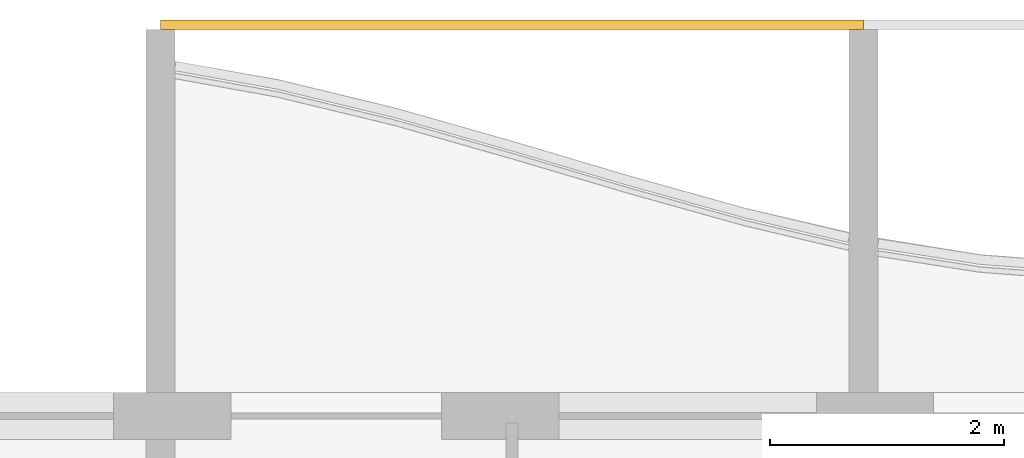
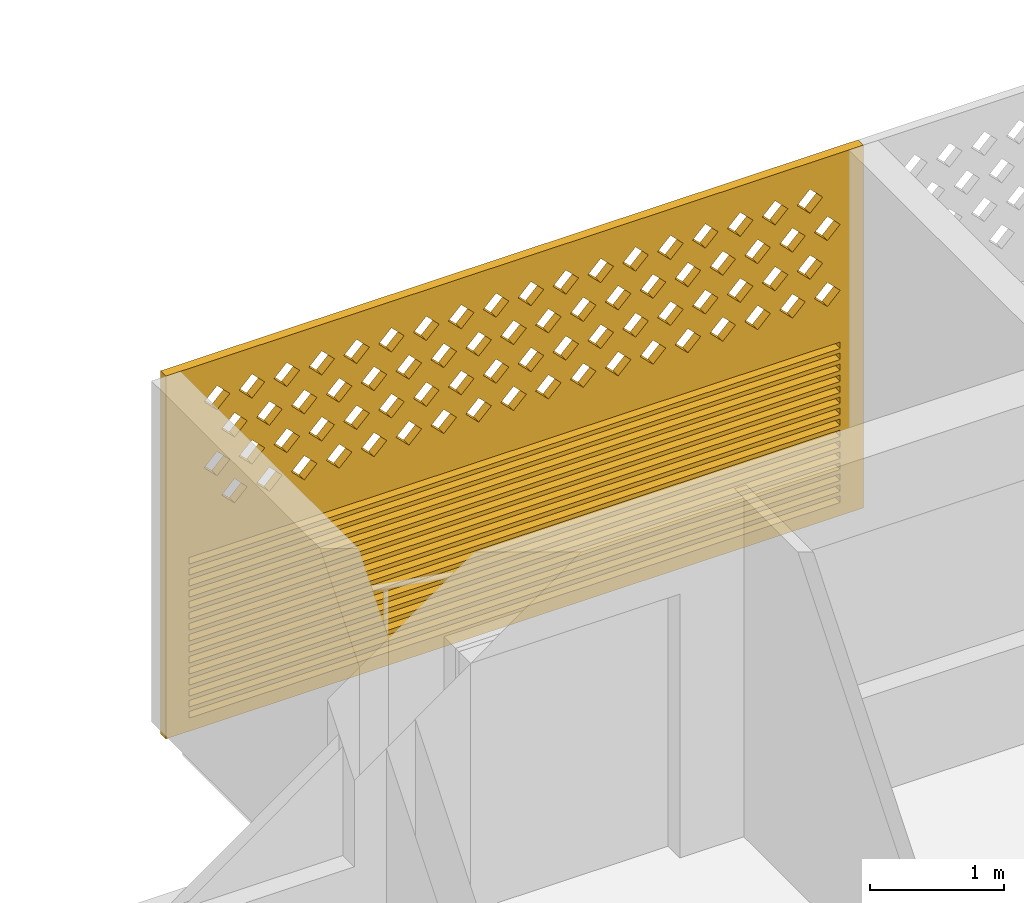
# One storey, part 22 of 28: 1 covering.
"""IFC4 building model written with IfcOpenShell, lengths in metres."""

from ifc_helpers import new_model, si_unit, direction, frame, origin, place, context, subcontext, project, spatial, polyline, outline, extrude, source, transform, mapped, material, material_profile, profile_set, type_object, element, save


model = new_model("IFC4")

# Units and contexts
model_context = context("Model", 3, precision=1e-05, world=origin(), true_north=direction((0.0, 1.0)))
body_context = subcontext(model_context, "Body", "Model", "MODEL_VIEW")
ifc_project = project(units=[si_unit("LENGTHUNIT", "METRE"), si_unit("AREAUNIT", "SQUARE_METRE"), si_unit("VOLUMEUNIT", "CUBIC_METRE"), si_unit("PLANEANGLEUNIT", "RADIAN"), si_unit("MASSUNIT", "GRAM", prefix="KILO")], contexts=[model_context])

# Site, building, storey
site_placement = place(None, origin())
site = spatial("IfcSite", under=ifc_project, at=site_placement, CompositionType="ELEMENT")
building_placement = place(site_placement, origin())
building = spatial("IfcBuilding", under=site, at=building_placement, Name="Poui Terraces", CompositionType="ELEMENT")
storey_placement = place(building_placement, frame((0.0, 0.0, 185.10009765625)))
storey = spatial("IfcBuildingStorey", under=building, at=storey_placement, Name="L51", CompositionType="ELEMENT", Elevation=185.10009765625)

# Covering
ifc_material = material(Name="Terracotta screen", Category="masonry")
ifc_material_profile = material_profile(ifc_material, outline(polyline([(-3.0, -1.64990234375), (3.0, -1.64990234375), (3.0, 1.64990234375), (-3.0, 1.64990234375), (-3.0, -1.64990234375)]), holes=[polyline([(-2.800048828125, 0.39990234375), (-2.68994140625, 0.2900390625), (-2.580078125, 0.39990234375), (-2.68994140625, 0.510009765625), (-2.800048828125, 0.39990234375)]), polyline([(-2.5, 0.39990234375), (-2.389892578125, 0.2900390625), (-2.280029296875, 0.39990234375), (-2.389892578125, 0.510009765625), (-2.5, 0.39990234375)]), polyline([(-2.199951171875, 0.39990234375), (-2.090087890625, 0.2900390625), (-1.97998046875, 0.39990234375), (-2.090087890625, 0.510009765625), (-2.199951171875, 0.39990234375)]), polyline([(-1.89990234375, 0.39990234375), (-1.7900390625, 0.2900390625), (-1.679931640625, 0.39990234375), (-1.7900390625, 0.510009765625), (-1.89990234375, 0.39990234375)]), polyline([(-1.60009765625, 0.39990234375), (-1.489990234375, 0.2900390625), (-1.3798828125, 0.39990234375), (-1.489990234375, 0.510009765625), (-1.60009765625, 0.39990234375)]), polyline([(-1.300048828125, 0.39990234375), (-1.18994140625, 0.2900390625), (-1.080078125, 0.39990234375), (-1.18994140625, 0.510009765625), (-1.300048828125, 0.39990234375)]), polyline([(-1.0, 0.39990234375), (-0.889892578125, 0.2900390625), (-0.780029296875, 0.39990234375), (-0.889892578125, 0.510009765625), (-1.0, 0.39990234375)]), polyline([(-0.699951171875, 0.39990234375), (-0.590087890625, 0.2900390625), (-0.47998046875, 0.39990234375), (-0.590087890625, 0.510009765625), (-0.699951171875, 0.39990234375)]), polyline([(-0.39990234375, 0.39990234375), (-0.2900390625, 0.2900390625), (-0.179931640625, 0.39990234375), (-0.2900390625, 0.510009765625), (-0.39990234375, 0.39990234375)]), polyline([(-0.10009765625, 0.39990234375), (0.010009765625, 0.2900390625), (0.1201171875, 0.39990234375), (0.010009765625, 0.510009765625), (-0.10009765625, 0.39990234375)]), polyline([(0.199951171875, 0.39990234375), (0.31005859375, 0.2900390625), (0.419921875, 0.39990234375), (0.31005859375, 0.510009765625), (0.199951171875, 0.39990234375)]), polyline([(0.5, 0.39990234375), (0.610107421875, 0.2900390625), (0.719970703125, 0.39990234375), (0.610107421875, 0.510009765625), (0.5, 0.39990234375)]), polyline([(0.800048828125, 0.39990234375), (0.909912109375, 0.2900390625), (1.02001953125, 0.39990234375), (0.909912109375, 0.510009765625), (0.800048828125, 0.39990234375)]), polyline([(1.10009765625, 0.39990234375), (1.2099609375, 0.2900390625), (1.320068359375, 0.39990234375), (1.2099609375, 0.510009765625), (1.10009765625, 0.39990234375)]), polyline([(1.39990234375, 0.39990234375), (1.510009765625, 0.2900390625), (1.6201171875, 0.39990234375), (1.510009765625, 0.510009765625), (1.39990234375, 0.39990234375)]), polyline([(1.699951171875, 0.39990234375), (1.81005859375, 0.2900390625), (1.919921875, 0.39990234375), (1.81005859375, 0.510009765625), (1.699951171875, 0.39990234375)]), polyline([(2.0, 0.39990234375), (2.110107421875, 0.2900390625), (2.219970703125, 0.39990234375), (2.110107421875, 0.510009765625), (2.0, 0.39990234375)]), polyline([(2.300048828125, 0.39990234375), (2.409912109375, 0.2900390625), (2.52001953125, 0.39990234375), (2.409912109375, 0.510009765625), (2.300048828125, 0.39990234375)]), polyline([(-2.64990234375, 0.699951171875), (-2.5400390625, 0.590087890625), (-2.429931640625, 0.699951171875), (-2.5400390625, 0.81005859375), (-2.64990234375, 0.699951171875)]), polyline([(-2.35009765625, 0.699951171875), (-2.239990234375, 0.590087890625), (-2.1298828125, 0.699951171875), (-2.239990234375, 0.81005859375), (-2.35009765625, 0.699951171875)]), polyline([(-2.050048828125, 0.699951171875), (-1.93994140625, 0.590087890625), (-1.830078125, 0.699951171875), (-1.93994140625, 0.81005859375), (-2.050048828125, 0.699951171875)]), polyline([(-1.75, 0.699951171875), (-1.639892578125, 0.590087890625), (-1.530029296875, 0.699951171875), (-1.639892578125, 0.81005859375), (-1.75, 0.699951171875)]), polyline([(-1.449951171875, 0.699951171875), (-1.340087890625, 0.590087890625), (-1.22998046875, 0.699951171875), (-1.340087890625, 0.81005859375), (-1.449951171875, 0.699951171875)]), polyline([(-1.14990234375, 0.699951171875), (-1.0400390625, 0.590087890625), (-0.929931640625, 0.699951171875), (-1.0400390625, 0.81005859375), (-1.14990234375, 0.699951171875)]), polyline([(-0.85009765625, 0.699951171875), (-0.739990234375, 0.590087890625), (-0.6298828125, 0.699951171875), (-0.739990234375, 0.81005859375), (-0.85009765625, 0.699951171875)]), polyline([(-0.550048828125, 0.699951171875), (-0.43994140625, 0.590087890625), (-0.330078125, 0.699951171875), (-0.43994140625, 0.81005859375), (-0.550048828125, 0.699951171875)]), polyline([(-0.25, 0.699951171875), (-0.139892578125, 0.590087890625), (-0.030029296875, 0.699951171875), (-0.139892578125, 0.81005859375), (-0.25, 0.699951171875)]), polyline([(0.050048828125, 0.699951171875), (0.159912109375, 0.590087890625), (0.27001953125, 0.699951171875), (0.159912109375, 0.81005859375), (0.050048828125, 0.699951171875)]), polyline([(0.35009765625, 0.699951171875), (0.4599609375, 0.590087890625), (0.570068359375, 0.699951171875), (0.4599609375, 0.81005859375), (0.35009765625, 0.699951171875)]), polyline([(0.64990234375, 0.699951171875), (0.760009765625, 0.590087890625), (0.8701171875, 0.699951171875), (0.760009765625, 0.81005859375), (0.64990234375, 0.699951171875)]), polyline([(0.949951171875, 0.699951171875), (1.06005859375, 0.590087890625), (1.169921875, 0.699951171875), (1.06005859375, 0.81005859375), (0.949951171875, 0.699951171875)]), polyline([(1.25, 0.699951171875), (1.360107421875, 0.590087890625), (1.469970703125, 0.699951171875), (1.360107421875, 0.81005859375), (1.25, 0.699951171875)]), polyline([(1.550048828125, 0.699951171875), (1.659912109375, 0.590087890625), (1.77001953125, 0.699951171875), (1.659912109375, 0.81005859375), (1.550048828125, 0.699951171875)]), polyline([(1.85009765625, 0.699951171875), (1.9599609375, 0.590087890625), (2.070068359375, 0.699951171875), (1.9599609375, 0.81005859375), (1.85009765625, 0.699951171875)]), polyline([(2.14990234375, 0.699951171875), (2.260009765625, 0.590087890625), (2.3701171875, 0.699951171875), (2.260009765625, 0.81005859375), (2.14990234375, 0.699951171875)]), polyline([(2.449951171875, 0.699951171875), (2.56005859375, 0.590087890625), (2.669921875, 0.699951171875), (2.56005859375, 0.81005859375), (2.449951171875, 0.699951171875)]), polyline([(-2.800048828125, 1.0), (-2.68994140625, 0.889892578125), (-2.580078125, 1.0), (-2.68994140625, 1.110107421875), (-2.800048828125, 1.0)]), polyline([(-2.5, 1.0), (-2.389892578125, 0.889892578125), (-2.280029296875, 1.0), (-2.389892578125, 1.110107421875), (-2.5, 1.0)]), polyline([(-2.199951171875, 1.0), (-2.090087890625, 0.889892578125), (-1.97998046875, 1.0), (-2.090087890625, 1.110107421875), (-2.199951171875, 1.0)]), polyline([(-1.89990234375, 1.0), (-1.7900390625, 0.889892578125), (-1.679931640625, 1.0), (-1.7900390625, 1.110107421875), (-1.89990234375, 1.0)]), polyline([(-1.60009765625, 1.0), (-1.489990234375, 0.889892578125), (-1.3798828125, 1.0), (-1.489990234375, 1.110107421875), (-1.60009765625, 1.0)]), polyline([(-1.300048828125, 1.0), (-1.18994140625, 0.889892578125), (-1.080078125, 1.0), (-1.18994140625, 1.110107421875), (-1.300048828125, 1.0)]), polyline([(-1.0, 1.0), (-0.889892578125, 0.889892578125), (-0.780029296875, 1.0), (-0.889892578125, 1.110107421875), (-1.0, 1.0)]), polyline([(-0.699951171875, 1.0), (-0.590087890625, 0.889892578125), (-0.47998046875, 1.0), (-0.590087890625, 1.110107421875), (-0.699951171875, 1.0)]), polyline([(-0.39990234375, 1.0), (-0.2900390625, 0.889892578125), (-0.179931640625, 1.0), (-0.2900390625, 1.110107421875), (-0.39990234375, 1.0)]), polyline([(-0.10009765625, 1.0), (0.010009765625, 0.889892578125), (0.1201171875, 1.0), (0.010009765625, 1.110107421875), (-0.10009765625, 1.0)]), polyline([(0.199951171875, 1.0), (0.31005859375, 0.889892578125), (0.419921875, 1.0), (0.31005859375, 1.110107421875), (0.199951171875, 1.0)]), polyline([(0.5, 1.0), (0.610107421875, 0.889892578125), (0.719970703125, 1.0), (0.610107421875, 1.110107421875), (0.5, 1.0)]), polyline([(0.800048828125, 1.0), (0.909912109375, 0.889892578125), (1.02001953125, 1.0), (0.909912109375, 1.110107421875), (0.800048828125, 1.0)]), polyline([(1.10009765625, 1.0), (1.2099609375, 0.889892578125), (1.320068359375, 1.0), (1.2099609375, 1.110107421875), (1.10009765625, 1.0)]), polyline([(1.39990234375, 1.0), (1.510009765625, 0.889892578125), (1.6201171875, 1.0), (1.510009765625, 1.110107421875), (1.39990234375, 1.0)]), polyline([(1.699951171875, 1.0), (1.81005859375, 0.889892578125), (1.919921875, 1.0), (1.81005859375, 1.110107421875), (1.699951171875, 1.0)]), polyline([(2.0, 1.0), (2.110107421875, 0.889892578125), (2.219970703125, 1.0), (2.110107421875, 1.110107421875), (2.0, 1.0)]), polyline([(2.300048828125, 1.0), (2.409912109375, 0.889892578125), (2.52001953125, 1.0), (2.409912109375, 1.110107421875), (2.300048828125, 1.0)]), polyline([(-2.64990234375, 1.300048828125), (-2.5400390625, 1.18994140625), (-2.429931640625, 1.300048828125), (-2.5400390625, 1.409912109375), (-2.64990234375, 1.300048828125)]), polyline([(-2.35009765625, 1.300048828125), (-2.239990234375, 1.18994140625), (-2.1298828125, 1.300048828125), (-2.239990234375, 1.409912109375), (-2.35009765625, 1.300048828125)]), polyline([(-2.050048828125, 1.300048828125), (-1.93994140625, 1.18994140625), (-1.830078125, 1.300048828125), (-1.93994140625, 1.409912109375), (-2.050048828125, 1.300048828125)]), polyline([(-1.75, 1.300048828125), (-1.639892578125, 1.18994140625), (-1.530029296875, 1.300048828125), (-1.639892578125, 1.409912109375), (-1.75, 1.300048828125)]), polyline([(-1.449951171875, 1.300048828125), (-1.340087890625, 1.18994140625), (-1.22998046875, 1.300048828125), (-1.340087890625, 1.409912109375), (-1.449951171875, 1.300048828125)]), polyline([(-1.14990234375, 1.300048828125), (-1.0400390625, 1.18994140625), (-0.929931640625, 1.300048828125), (-1.0400390625, 1.409912109375), (-1.14990234375, 1.300048828125)]), polyline([(-0.85009765625, 1.300048828125), (-0.739990234375, 1.18994140625), (-0.6298828125, 1.300048828125), (-0.739990234375, 1.409912109375), (-0.85009765625, 1.300048828125)]), polyline([(-0.550048828125, 1.300048828125), (-0.43994140625, 1.18994140625), (-0.330078125, 1.300048828125), (-0.43994140625, 1.409912109375), (-0.550048828125, 1.300048828125)]), polyline([(-0.25, 1.300048828125), (-0.139892578125, 1.18994140625), (-0.030029296875, 1.300048828125), (-0.139892578125, 1.409912109375), (-0.25, 1.300048828125)]), polyline([(0.050048828125, 1.300048828125), (0.159912109375, 1.18994140625), (0.27001953125, 1.300048828125), (0.159912109375, 1.409912109375), (0.050048828125, 1.300048828125)]), polyline([(0.35009765625, 1.300048828125), (0.4599609375, 1.18994140625), (0.570068359375, 1.300048828125), (0.4599609375, 1.409912109375), (0.35009765625, 1.300048828125)]), polyline([(0.64990234375, 1.300048828125), (0.760009765625, 1.18994140625), (0.8701171875, 1.300048828125), (0.760009765625, 1.409912109375), (0.64990234375, 1.300048828125)]), polyline([(0.949951171875, 1.300048828125), (1.06005859375, 1.18994140625), (1.169921875, 1.300048828125), (1.06005859375, 1.409912109375), (0.949951171875, 1.300048828125)]), polyline([(1.25, 1.300048828125), (1.360107421875, 1.18994140625), (1.469970703125, 1.300048828125), (1.360107421875, 1.409912109375), (1.25, 1.300048828125)]), polyline([(1.550048828125, 1.300048828125), (1.659912109375, 1.18994140625), (1.77001953125, 1.300048828125), (1.659912109375, 1.409912109375), (1.550048828125, 1.300048828125)]), polyline([(1.85009765625, 1.300048828125), (1.9599609375, 1.18994140625), (2.070068359375, 1.300048828125), (1.9599609375, 1.409912109375), (1.85009765625, 1.300048828125)]), polyline([(2.14990234375, 1.300048828125), (2.260009765625, 1.18994140625), (2.3701171875, 1.300048828125), (2.260009765625, 1.409912109375), (2.14990234375, 1.300048828125)]), polyline([(2.449951171875, 1.300048828125), (2.56005859375, 1.18994140625), (2.669921875, 1.300048828125), (2.56005859375, 1.409912109375), (2.449951171875, 1.300048828125)]), polyline([(-2.800048828125, -1.530029296875), (2.800048828125, -1.530029296875), (2.800048828125, -1.469970703125), (-2.800048828125, -1.469970703125), (-2.800048828125, -1.530029296875)]), polyline([(-2.800048828125, -1.429931640625), (2.800048828125, -1.429931640625), (2.800048828125, -1.3701171875), (-2.800048828125, -1.3701171875), (-2.800048828125, -1.429931640625)]), polyline([(-2.800048828125, -1.330078125), (2.800048828125, -1.330078125), (2.800048828125, -1.27001953125), (-2.800048828125, -1.27001953125), (-2.800048828125, -1.330078125)]), polyline([(-2.800048828125, -1.22998046875), (2.800048828125, -1.22998046875), (2.800048828125, -1.169921875), (-2.800048828125, -1.169921875), (-2.800048828125, -1.22998046875)]), polyline([(-2.800048828125, -1.1298828125), (2.800048828125, -1.1298828125), (2.800048828125, -1.070068359375), (-2.800048828125, -1.070068359375), (-2.800048828125, -1.1298828125)]), polyline([(-2.800048828125, -1.030029296875), (2.800048828125, -1.030029296875), (2.800048828125, -0.969970703125), (-2.800048828125, -0.969970703125), (-2.800048828125, -1.030029296875)]), polyline([(-2.800048828125, -0.929931640625), (2.800048828125, -0.929931640625), (2.800048828125, -0.8701171875), (-2.800048828125, -0.8701171875), (-2.800048828125, -0.929931640625)]), polyline([(-2.800048828125, -0.830078125), (2.800048828125, -0.830078125), (2.800048828125, -0.77001953125), (-2.800048828125, -0.77001953125), (-2.800048828125, -0.830078125)]), polyline([(-2.800048828125, -0.72998046875), (2.800048828125, -0.72998046875), (2.800048828125, -0.669921875), (-2.800048828125, -0.669921875), (-2.800048828125, -0.72998046875)]), polyline([(-2.800048828125, -0.6298828125), (2.800048828125, -0.6298828125), (2.800048828125, -0.570068359375), (-2.800048828125, -0.570068359375), (-2.800048828125, -0.6298828125)]), polyline([(-2.800048828125, -0.530029296875), (2.800048828125, -0.530029296875), (2.800048828125, -0.469970703125), (-2.800048828125, -0.469970703125), (-2.800048828125, -0.530029296875)]), polyline([(-2.800048828125, -0.429931640625), (2.800048828125, -0.429931640625), (2.800048828125, -0.3701171875), (-2.800048828125, -0.3701171875), (-2.800048828125, -0.429931640625)]), polyline([(-2.800048828125, -0.330078125), (2.800048828125, -0.330078125), (2.800048828125, -0.27001953125), (-2.800048828125, -0.27001953125), (-2.800048828125, -0.330078125)]), polyline([(-2.800048828125, -0.22998046875), (2.800048828125, -0.22998046875), (2.800048828125, -0.169921875), (-2.800048828125, -0.169921875), (-2.800048828125, -0.22998046875)]), polyline([(-2.800048828125, -0.1298828125), (2.800048828125, -0.1298828125), (2.800048828125, -0.070068359375), (-2.800048828125, -0.070068359375), (-2.800048828125, -0.1298828125)])]), Name="TERRACOTTA SCREEN AND JALOUSIE LOUVRE 6000X3300")
ifc_profile_set = profile_set([ifc_material_profile], Name="Terracotta screen")
covering_type = type_object("IfcCoveringType", Name="TERRACOTTA SCREEN AND JALOUSIE LOUVRE 6000X3300", PredefinedType="CLADDING", material=ifc_profile_set)
shared_shape = source(origin(), body_context, "Body", "SweptSolid", [
    extrude(outline(polyline([(-3.0, -1.64990234375), (3.0, -1.64990234375), (3.0, 1.64990234375), (-3.0, 1.64990234375), (-3.0, -1.64990234375)]), holes=[polyline([(-2.800048828125, 0.39990234375), (-2.68994140625, 0.2900390625), (-2.580078125, 0.39990234375), (-2.68994140625, 0.510009765625), (-2.800048828125, 0.39990234375)]), polyline([(-2.5, 0.39990234375), (-2.389892578125, 0.2900390625), (-2.280029296875, 0.39990234375), (-2.389892578125, 0.510009765625), (-2.5, 0.39990234375)]), polyline([(-2.199951171875, 0.39990234375), (-2.090087890625, 0.2900390625), (-1.97998046875, 0.39990234375), (-2.090087890625, 0.510009765625), (-2.199951171875, 0.39990234375)]), polyline([(-1.89990234375, 0.39990234375), (-1.7900390625, 0.2900390625), (-1.679931640625, 0.39990234375), (-1.7900390625, 0.510009765625), (-1.89990234375, 0.39990234375)]), polyline([(-1.60009765625, 0.39990234375), (-1.489990234375, 0.2900390625), (-1.3798828125, 0.39990234375), (-1.489990234375, 0.510009765625), (-1.60009765625, 0.39990234375)]), polyline([(-1.300048828125, 0.39990234375), (-1.18994140625, 0.2900390625), (-1.080078125, 0.39990234375), (-1.18994140625, 0.510009765625), (-1.300048828125, 0.39990234375)]), polyline([(-1.0, 0.39990234375), (-0.889892578125, 0.2900390625), (-0.780029296875, 0.39990234375), (-0.889892578125, 0.510009765625), (-1.0, 0.39990234375)]), polyline([(-0.699951171875, 0.39990234375), (-0.590087890625, 0.2900390625), (-0.47998046875, 0.39990234375), (-0.590087890625, 0.510009765625), (-0.699951171875, 0.39990234375)]), polyline([(-0.39990234375, 0.39990234375), (-0.2900390625, 0.2900390625), (-0.179931640625, 0.39990234375), (-0.2900390625, 0.510009765625), (-0.39990234375, 0.39990234375)]), polyline([(-0.10009765625, 0.39990234375), (0.010009765625, 0.2900390625), (0.1201171875, 0.39990234375), (0.010009765625, 0.510009765625), (-0.10009765625, 0.39990234375)]), polyline([(0.199951171875, 0.39990234375), (0.31005859375, 0.2900390625), (0.419921875, 0.39990234375), (0.31005859375, 0.510009765625), (0.199951171875, 0.39990234375)]), polyline([(0.5, 0.39990234375), (0.610107421875, 0.2900390625), (0.719970703125, 0.39990234375), (0.610107421875, 0.510009765625), (0.5, 0.39990234375)]), polyline([(0.800048828125, 0.39990234375), (0.909912109375, 0.2900390625), (1.02001953125, 0.39990234375), (0.909912109375, 0.510009765625), (0.800048828125, 0.39990234375)]), polyline([(1.10009765625, 0.39990234375), (1.2099609375, 0.2900390625), (1.320068359375, 0.39990234375), (1.2099609375, 0.510009765625), (1.10009765625, 0.39990234375)]), polyline([(1.39990234375, 0.39990234375), (1.510009765625, 0.2900390625), (1.6201171875, 0.39990234375), (1.510009765625, 0.510009765625), (1.39990234375, 0.39990234375)]), polyline([(1.699951171875, 0.39990234375), (1.81005859375, 0.2900390625), (1.919921875, 0.39990234375), (1.81005859375, 0.510009765625), (1.699951171875, 0.39990234375)]), polyline([(2.0, 0.39990234375), (2.110107421875, 0.2900390625), (2.219970703125, 0.39990234375), (2.110107421875, 0.510009765625), (2.0, 0.39990234375)]), polyline([(2.300048828125, 0.39990234375), (2.409912109375, 0.2900390625), (2.52001953125, 0.39990234375), (2.409912109375, 0.510009765625), (2.300048828125, 0.39990234375)]), polyline([(-2.64990234375, 0.699951171875), (-2.5400390625, 0.590087890625), (-2.429931640625, 0.699951171875), (-2.5400390625, 0.81005859375), (-2.64990234375, 0.699951171875)]), polyline([(-2.35009765625, 0.699951171875), (-2.239990234375, 0.590087890625), (-2.1298828125, 0.699951171875), (-2.239990234375, 0.81005859375), (-2.35009765625, 0.699951171875)]), polyline([(-2.050048828125, 0.699951171875), (-1.93994140625, 0.590087890625), (-1.830078125, 0.699951171875), (-1.93994140625, 0.81005859375), (-2.050048828125, 0.699951171875)]), polyline([(-1.75, 0.699951171875), (-1.639892578125, 0.590087890625), (-1.530029296875, 0.699951171875), (-1.639892578125, 0.81005859375), (-1.75, 0.699951171875)]), polyline([(-1.449951171875, 0.699951171875), (-1.340087890625, 0.590087890625), (-1.22998046875, 0.699951171875), (-1.340087890625, 0.81005859375), (-1.449951171875, 0.699951171875)]), polyline([(-1.14990234375, 0.699951171875), (-1.0400390625, 0.590087890625), (-0.929931640625, 0.699951171875), (-1.0400390625, 0.81005859375), (-1.14990234375, 0.699951171875)]), polyline([(-0.85009765625, 0.699951171875), (-0.739990234375, 0.590087890625), (-0.6298828125, 0.699951171875), (-0.739990234375, 0.81005859375), (-0.85009765625, 0.699951171875)]), polyline([(-0.550048828125, 0.699951171875), (-0.43994140625, 0.590087890625), (-0.330078125, 0.699951171875), (-0.43994140625, 0.81005859375), (-0.550048828125, 0.699951171875)]), polyline([(-0.25, 0.699951171875), (-0.139892578125, 0.590087890625), (-0.030029296875, 0.699951171875), (-0.139892578125, 0.81005859375), (-0.25, 0.699951171875)]), polyline([(0.050048828125, 0.699951171875), (0.159912109375, 0.590087890625), (0.27001953125, 0.699951171875), (0.159912109375, 0.81005859375), (0.050048828125, 0.699951171875)]), polyline([(0.35009765625, 0.699951171875), (0.4599609375, 0.590087890625), (0.570068359375, 0.699951171875), (0.4599609375, 0.81005859375), (0.35009765625, 0.699951171875)]), polyline([(0.64990234375, 0.699951171875), (0.760009765625, 0.590087890625), (0.8701171875, 0.699951171875), (0.760009765625, 0.81005859375), (0.64990234375, 0.699951171875)]), polyline([(0.949951171875, 0.699951171875), (1.06005859375, 0.590087890625), (1.169921875, 0.699951171875), (1.06005859375, 0.81005859375), (0.949951171875, 0.699951171875)]), polyline([(1.25, 0.699951171875), (1.360107421875, 0.590087890625), (1.469970703125, 0.699951171875), (1.360107421875, 0.81005859375), (1.25, 0.699951171875)]), polyline([(1.550048828125, 0.699951171875), (1.659912109375, 0.590087890625), (1.77001953125, 0.699951171875), (1.659912109375, 0.81005859375), (1.550048828125, 0.699951171875)]), polyline([(1.85009765625, 0.699951171875), (1.9599609375, 0.590087890625), (2.070068359375, 0.699951171875), (1.9599609375, 0.81005859375), (1.85009765625, 0.699951171875)]), polyline([(2.14990234375, 0.699951171875), (2.260009765625, 0.590087890625), (2.3701171875, 0.699951171875), (2.260009765625, 0.81005859375), (2.14990234375, 0.699951171875)]), polyline([(2.449951171875, 0.699951171875), (2.56005859375, 0.590087890625), (2.669921875, 0.699951171875), (2.56005859375, 0.81005859375), (2.449951171875, 0.699951171875)]), polyline([(-2.800048828125, 1.0), (-2.68994140625, 0.889892578125), (-2.580078125, 1.0), (-2.68994140625, 1.110107421875), (-2.800048828125, 1.0)]), polyline([(-2.5, 1.0), (-2.389892578125, 0.889892578125), (-2.280029296875, 1.0), (-2.389892578125, 1.110107421875), (-2.5, 1.0)]), polyline([(-2.199951171875, 1.0), (-2.090087890625, 0.889892578125), (-1.97998046875, 1.0), (-2.090087890625, 1.110107421875), (-2.199951171875, 1.0)]), polyline([(-1.89990234375, 1.0), (-1.7900390625, 0.889892578125), (-1.679931640625, 1.0), (-1.7900390625, 1.110107421875), (-1.89990234375, 1.0)]), polyline([(-1.60009765625, 1.0), (-1.489990234375, 0.889892578125), (-1.3798828125, 1.0), (-1.489990234375, 1.110107421875), (-1.60009765625, 1.0)]), polyline([(-1.300048828125, 1.0), (-1.18994140625, 0.889892578125), (-1.080078125, 1.0), (-1.18994140625, 1.110107421875), (-1.300048828125, 1.0)]), polyline([(-1.0, 1.0), (-0.889892578125, 0.889892578125), (-0.780029296875, 1.0), (-0.889892578125, 1.110107421875), (-1.0, 1.0)]), polyline([(-0.699951171875, 1.0), (-0.590087890625, 0.889892578125), (-0.47998046875, 1.0), (-0.590087890625, 1.110107421875), (-0.699951171875, 1.0)]), polyline([(-0.39990234375, 1.0), (-0.2900390625, 0.889892578125), (-0.179931640625, 1.0), (-0.2900390625, 1.110107421875), (-0.39990234375, 1.0)]), polyline([(-0.10009765625, 1.0), (0.010009765625, 0.889892578125), (0.1201171875, 1.0), (0.010009765625, 1.110107421875), (-0.10009765625, 1.0)]), polyline([(0.199951171875, 1.0), (0.31005859375, 0.889892578125), (0.419921875, 1.0), (0.31005859375, 1.110107421875), (0.199951171875, 1.0)]), polyline([(0.5, 1.0), (0.610107421875, 0.889892578125), (0.719970703125, 1.0), (0.610107421875, 1.110107421875), (0.5, 1.0)]), polyline([(0.800048828125, 1.0), (0.909912109375, 0.889892578125), (1.02001953125, 1.0), (0.909912109375, 1.110107421875), (0.800048828125, 1.0)]), polyline([(1.10009765625, 1.0), (1.2099609375, 0.889892578125), (1.320068359375, 1.0), (1.2099609375, 1.110107421875), (1.10009765625, 1.0)]), polyline([(1.39990234375, 1.0), (1.510009765625, 0.889892578125), (1.6201171875, 1.0), (1.510009765625, 1.110107421875), (1.39990234375, 1.0)]), polyline([(1.699951171875, 1.0), (1.81005859375, 0.889892578125), (1.919921875, 1.0), (1.81005859375, 1.110107421875), (1.699951171875, 1.0)]), polyline([(2.0, 1.0), (2.110107421875, 0.889892578125), (2.219970703125, 1.0), (2.110107421875, 1.110107421875), (2.0, 1.0)]), polyline([(2.300048828125, 1.0), (2.409912109375, 0.889892578125), (2.52001953125, 1.0), (2.409912109375, 1.110107421875), (2.300048828125, 1.0)]), polyline([(-2.64990234375, 1.300048828125), (-2.5400390625, 1.18994140625), (-2.429931640625, 1.300048828125), (-2.5400390625, 1.409912109375), (-2.64990234375, 1.300048828125)]), polyline([(-2.35009765625, 1.300048828125), (-2.239990234375, 1.18994140625), (-2.1298828125, 1.300048828125), (-2.239990234375, 1.409912109375), (-2.35009765625, 1.300048828125)]), polyline([(-2.050048828125, 1.300048828125), (-1.93994140625, 1.18994140625), (-1.830078125, 1.300048828125), (-1.93994140625, 1.409912109375), (-2.050048828125, 1.300048828125)]), polyline([(-1.75, 1.300048828125), (-1.639892578125, 1.18994140625), (-1.530029296875, 1.300048828125), (-1.639892578125, 1.409912109375), (-1.75, 1.300048828125)]), polyline([(-1.449951171875, 1.300048828125), (-1.340087890625, 1.18994140625), (-1.22998046875, 1.300048828125), (-1.340087890625, 1.409912109375), (-1.449951171875, 1.300048828125)]), polyline([(-1.14990234375, 1.300048828125), (-1.0400390625, 1.18994140625), (-0.929931640625, 1.300048828125), (-1.0400390625, 1.409912109375), (-1.14990234375, 1.300048828125)]), polyline([(-0.85009765625, 1.300048828125), (-0.739990234375, 1.18994140625), (-0.6298828125, 1.300048828125), (-0.739990234375, 1.409912109375), (-0.85009765625, 1.300048828125)]), polyline([(-0.550048828125, 1.300048828125), (-0.43994140625, 1.18994140625), (-0.330078125, 1.300048828125), (-0.43994140625, 1.409912109375), (-0.550048828125, 1.300048828125)]), polyline([(-0.25, 1.300048828125), (-0.139892578125, 1.18994140625), (-0.030029296875, 1.300048828125), (-0.139892578125, 1.409912109375), (-0.25, 1.300048828125)]), polyline([(0.050048828125, 1.300048828125), (0.159912109375, 1.18994140625), (0.27001953125, 1.300048828125), (0.159912109375, 1.409912109375), (0.050048828125, 1.300048828125)]), polyline([(0.35009765625, 1.300048828125), (0.4599609375, 1.18994140625), (0.570068359375, 1.300048828125), (0.4599609375, 1.409912109375), (0.35009765625, 1.300048828125)]), polyline([(0.64990234375, 1.300048828125), (0.760009765625, 1.18994140625), (0.8701171875, 1.300048828125), (0.760009765625, 1.409912109375), (0.64990234375, 1.300048828125)]), polyline([(0.949951171875, 1.300048828125), (1.06005859375, 1.18994140625), (1.169921875, 1.300048828125), (1.06005859375, 1.409912109375), (0.949951171875, 1.300048828125)]), polyline([(1.25, 1.300048828125), (1.360107421875, 1.18994140625), (1.469970703125, 1.300048828125), (1.360107421875, 1.409912109375), (1.25, 1.300048828125)]), polyline([(1.550048828125, 1.300048828125), (1.659912109375, 1.18994140625), (1.77001953125, 1.300048828125), (1.659912109375, 1.409912109375), (1.550048828125, 1.300048828125)]), polyline([(1.85009765625, 1.300048828125), (1.9599609375, 1.18994140625), (2.070068359375, 1.300048828125), (1.9599609375, 1.409912109375), (1.85009765625, 1.300048828125)]), polyline([(2.14990234375, 1.300048828125), (2.260009765625, 1.18994140625), (2.3701171875, 1.300048828125), (2.260009765625, 1.409912109375), (2.14990234375, 1.300048828125)]), polyline([(2.449951171875, 1.300048828125), (2.56005859375, 1.18994140625), (2.669921875, 1.300048828125), (2.56005859375, 1.409912109375), (2.449951171875, 1.300048828125)]), polyline([(-2.800048828125, -1.530029296875), (2.800048828125, -1.530029296875), (2.800048828125, -1.469970703125), (-2.800048828125, -1.469970703125), (-2.800048828125, -1.530029296875)]), polyline([(-2.800048828125, -1.429931640625), (2.800048828125, -1.429931640625), (2.800048828125, -1.3701171875), (-2.800048828125, -1.3701171875), (-2.800048828125, -1.429931640625)]), polyline([(-2.800048828125, -1.330078125), (2.800048828125, -1.330078125), (2.800048828125, -1.27001953125), (-2.800048828125, -1.27001953125), (-2.800048828125, -1.330078125)]), polyline([(-2.800048828125, -1.22998046875), (2.800048828125, -1.22998046875), (2.800048828125, -1.169921875), (-2.800048828125, -1.169921875), (-2.800048828125, -1.22998046875)]), polyline([(-2.800048828125, -1.1298828125), (2.800048828125, -1.1298828125), (2.800048828125, -1.070068359375), (-2.800048828125, -1.070068359375), (-2.800048828125, -1.1298828125)]), polyline([(-2.800048828125, -1.030029296875), (2.800048828125, -1.030029296875), (2.800048828125, -0.969970703125), (-2.800048828125, -0.969970703125), (-2.800048828125, -1.030029296875)]), polyline([(-2.800048828125, -0.929931640625), (2.800048828125, -0.929931640625), (2.800048828125, -0.8701171875), (-2.800048828125, -0.8701171875), (-2.800048828125, -0.929931640625)]), polyline([(-2.800048828125, -0.830078125), (2.800048828125, -0.830078125), (2.800048828125, -0.77001953125), (-2.800048828125, -0.77001953125), (-2.800048828125, -0.830078125)]), polyline([(-2.800048828125, -0.72998046875), (2.800048828125, -0.72998046875), (2.800048828125, -0.669921875), (-2.800048828125, -0.669921875), (-2.800048828125, -0.72998046875)]), polyline([(-2.800048828125, -0.6298828125), (2.800048828125, -0.6298828125), (2.800048828125, -0.570068359375), (-2.800048828125, -0.570068359375), (-2.800048828125, -0.6298828125)]), polyline([(-2.800048828125, -0.530029296875), (2.800048828125, -0.530029296875), (2.800048828125, -0.469970703125), (-2.800048828125, -0.469970703125), (-2.800048828125, -0.530029296875)]), polyline([(-2.800048828125, -0.429931640625), (2.800048828125, -0.429931640625), (2.800048828125, -0.3701171875), (-2.800048828125, -0.3701171875), (-2.800048828125, -0.429931640625)]), polyline([(-2.800048828125, -0.330078125), (2.800048828125, -0.330078125), (2.800048828125, -0.27001953125), (-2.800048828125, -0.27001953125), (-2.800048828125, -0.330078125)]), polyline([(-2.800048828125, -0.22998046875), (2.800048828125, -0.22998046875), (2.800048828125, -0.169921875), (-2.800048828125, -0.169921875), (-2.800048828125, -0.22998046875)]), polyline([(-2.800048828125, -0.1298828125), (2.800048828125, -0.1298828125), (2.800048828125, -0.070068359375), (-2.800048828125, -0.070068359375), (-2.800048828125, -0.1298828125)])]), origin(), (0.0, 0.0, 1.0), 0.080078125),
])
covering_placement = place(storey_placement, frame((57.0, 44.5, 1.449951171875), z_axis=(0.0, 1.0, 0.0), x_axis=(-1.0, 0.0, 0.0)))
element("IfcCovering", 1, at=covering_placement, inside=storey, type_object=covering_type, Name="SOLAR SCREEN AND JALOUSIE LOUVRE", PredefinedType="CLADDING", context=body_context, shape_type="MappedRepresentation", body=[
    mapped(shared_shape, transform((0.0, 0.0, 0.0))),
])

save(model, "model.ifc")
